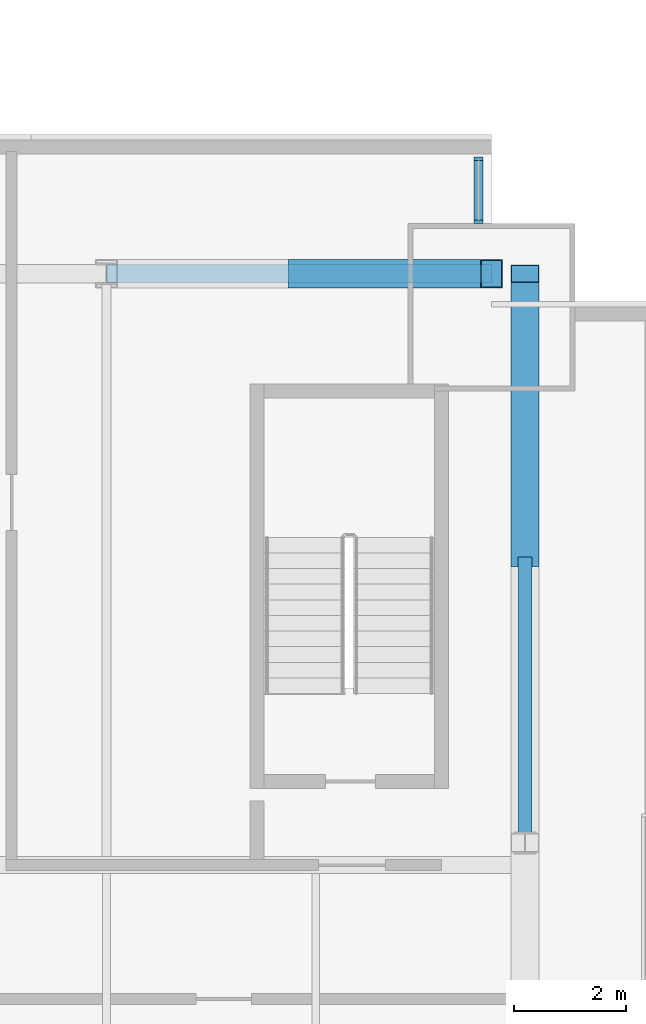
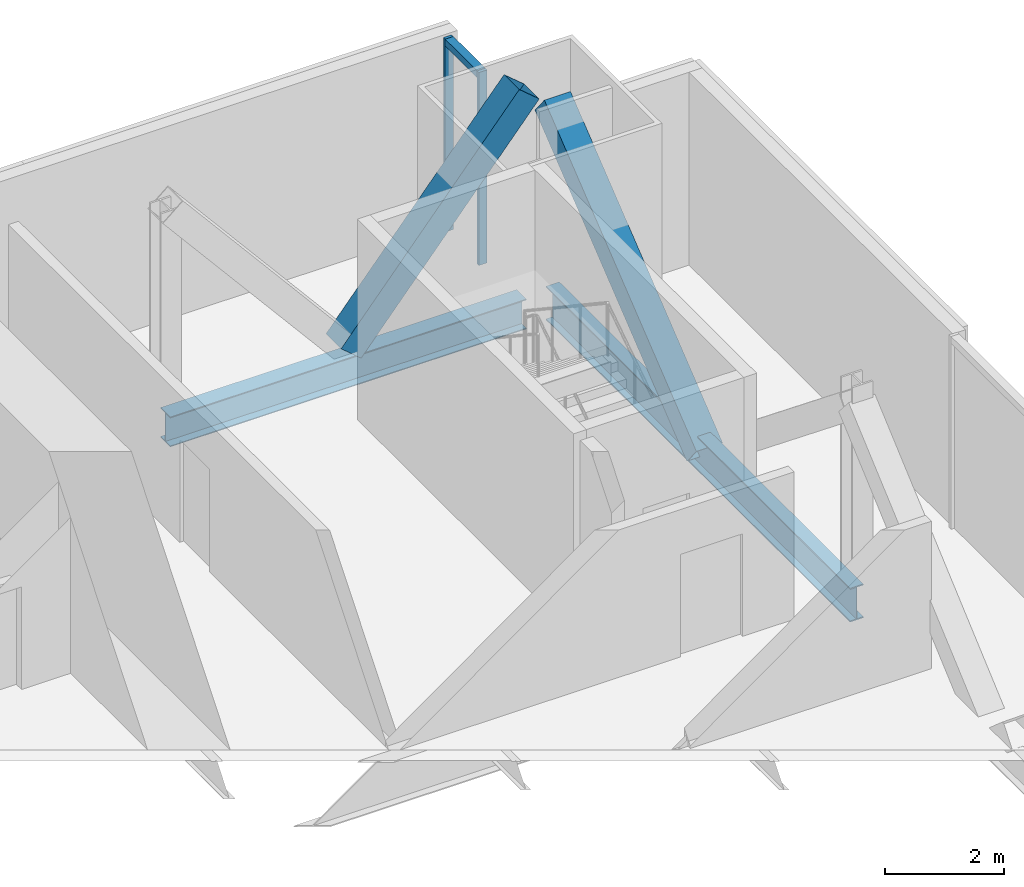
# One storey, part 13 of 21: 5 members, 2 beams, 1 element without a shape of its own.
"""IFC4 building model written with IfcOpenShell, lengths in metres."""

from ifc_helpers import new_model, si_unit, direction, frame, origin, origin_2d, place, context, subcontext, project, spatial, rectangle, hollow_rectangle, i_section, extrude, material, material_profile, profile_set, type_object, element, aggregate, save


model = new_model("IFC4")

# Units and contexts
model_context = context("Model", 3, precision=1e-05, world=origin(), true_north=direction((0.0, 1.0)))
body_context = subcontext(model_context, "Body", "Model", "MODEL_VIEW")
ifc_project = project(units=[si_unit("LENGTHUNIT", "METRE"), si_unit("AREAUNIT", "SQUARE_METRE"), si_unit("VOLUMEUNIT", "CUBIC_METRE"), si_unit("PLANEANGLEUNIT", "RADIAN"), si_unit("MASSUNIT", "GRAM", prefix="KILO")], contexts=[model_context])

# Site, building, storey
site_placement = place(None, origin())
site = spatial("IfcSite", under=ifc_project, at=site_placement, CompositionType="ELEMENT")
building_placement = place(site_placement, origin())
building = spatial("IfcBuilding", under=site, at=building_placement, Name="Bicima Exchange Tower", CompositionType="ELEMENT")
storey_placement = place(building_placement, frame((0.0, 0.0, 114.5)))
storey = spatial("IfcBuildingStorey", under=building, at=storey_placement, Name="L24", CompositionType="ELEMENT", Elevation=114.5)

# Beam
ifc_material_1 = material(Name="Steel ASTM A992 Gr 50", Category="steel")
ifc_material_profile_1 = material_profile(ifc_material_1, i_section(OverallWidth=0.256591796875, OverallDepth=0.693359375, WebThickness=0.014404296875, FlangeThickness=0.023681640625, at=origin_2d()))
ifc_profile_set_1 = profile_set([ifc_material_profile_1], Name="Steel ASTM A992 Gr 50")
beam_type_1 = type_object("IfcBeamType", Name="End girder W27x114", PredefinedType="BEAM", material=ifc_profile_set_1)
beam_1_placement = place(storey_placement, frame((33.60009765625, -2.39990234375, -0.49658203125), z_axis=(0.0, -1.0, 0.0), x_axis=(1.0, 0.0, 0.0)))
element("IfcBeam", 1, at=beam_1_placement, inside=storey, type_object=beam_type_1, Name="End girder", PredefinedType="BEAM", context=body_context, shape_type="SweptSolid", body=[
    extrude(i_section(OverallWidth=0.256591796875, OverallDepth=0.693359375, WebThickness=0.014404296875, FlangeThickness=0.023681640625, at=origin_2d()), origin(), (0.0, 0.0, 1.0), 10.2001953125),
])

# Curtain wall, members
ifc_material_2 = material(Name="Anodised bronze aluminium", Category="aluminium")
curtain_wall_type = type_object("IfcCurtainWallType", Name="Front glass wall", PredefinedType="NOTDEFINED", material=ifc_material_2)
curtain_wall_placement = place(storey_placement, origin())
curtain_wall = element("IfcCurtainWall", 2, at=curtain_wall_placement, inside=storey, type_object=curtain_wall_type, Name="Front glass wall L24 run 20", PredefinedType="NOTDEFINED")
ifc_material_profile_2 = material_profile(ifc_material_2, rectangle(XDim=0.159912109375, YDim=0.06005859375, at=origin_2d()))
ifc_profile_set_2 = profile_set([ifc_material_profile_2], Name="Anodised bronze aluminium")
member_type_1 = type_object("IfcMemberType", Name="Front glass wall mullion 60 x 160", PredefinedType="MULLION", material=ifc_profile_set_2)
member_1_placement = place(storey_placement, frame((32.77001953125, -1.469970703125, 0.0), z_axis=(0.0, 0.0, 1.0), x_axis=(-1.0, 0.0, 0.0)))
member_1 = element("IfcMember", 3, at=member_1_placement, type_object=member_type_1, Name="Front glass wall mullion 1", PredefinedType="MULLION", context=body_context, shape_type="SweptSolid", body=[
    extrude(rectangle(XDim=0.159912109375, YDim=0.06005859375, at=origin_2d()), origin(), (0.0, 0.0, 1.0), 3.949951171875),
])
member_2_placement = place(storey_placement, frame((32.77001953125, -0.340087890625, 0.0), z_axis=(0.0, 0.0, 1.0), x_axis=(-1.0, 0.0, 0.0)))
member_2 = element("IfcMember", 4, at=member_2_placement, type_object=member_type_1, Name="Front glass wall mullion 2", PredefinedType="MULLION", context=body_context, shape_type="SweptSolid", body=[
    extrude(rectangle(XDim=0.159912109375, YDim=0.06005859375, at=origin_2d()), origin(), (0.0, 0.0, 1.0), 3.949951171875),
])
ifc_material_profile_3 = material_profile(ifc_material_2, rectangle(XDim=0.159912109375, YDim=0.139892578125, at=origin_2d()))
ifc_profile_set_3 = profile_set([ifc_material_profile_3], Name="Anodised bronze aluminium")
member_type_2 = type_object("IfcMemberType", Name="Front glass wall transom 140 x 160", PredefinedType="USERDEFINED", material=ifc_profile_set_3)
member_3_placement = place(storey_placement, frame((32.77001953125, -1.43994140625, 3.8798828125), z_axis=(0.0, 1.0, 0.0), x_axis=(-1.0, 0.0, 0.0)))
member_3 = element("IfcMember", 5, at=member_3_placement, type_object=member_type_2, Name="Front glass wall transom 1.1", ObjectType="TRANSOM", PredefinedType="USERDEFINED", context=body_context, shape_type="SweptSolid", body=[
    extrude(rectangle(XDim=0.159912109375, YDim=0.139892578125, at=origin_2d()), origin(), (0.0, 0.0, 1.0), 1.06982421875),
])
aggregate(curtain_wall, [member_1, member_2, member_3])

# Members
ifc_material_3 = material(Name="Steel ASTM A572 Gr 50", Category="steel")
ifc_material_profile_4 = material_profile(ifc_material_3, hollow_rectangle(XDim=0.508056640625, YDim=0.508056640625, WallThickness=0.0146484375, at=origin_2d()))
ifc_profile_set_4 = profile_set([ifc_material_profile_4], Name="Steel ASTM A572 Gr 50")
member_type_3 = type_object("IfcMemberType", Name="Mega brace HSS20x20x5/8", PredefinedType="BRACE", material=ifc_profile_set_4)
member_4_placement = place(storey_placement, frame((29.550048828125, -2.39990234375, 0.0), z_axis=(0.643834042494, 0.0, 0.765165162384), x_axis=(0.0, 1.0, 0.0)))
element("IfcMember", 6, at=member_4_placement, inside=storey, type_object=member_type_3, Name="Mega brace rear", PredefinedType="BRACE", context=body_context, shape_type="SweptSolid", body=[
    extrude(hollow_rectangle(XDim=0.508056640625, YDim=0.508056640625, WallThickness=0.0146484375, at=origin_2d()), origin(), (0.0, 0.0, 1.0), 5.3583984375),
])
member_5_placement = place(storey_placement, frame((33.60009765625, -7.5, -0.49658203125), z_axis=(0.0, 0.779392460608, 0.626536026376), x_axis=(-1.0, 0.0, 0.0)))
element("IfcMember", 7, at=member_5_placement, inside=storey, type_object=member_type_3, Name="Mega brace east end", PredefinedType="BRACE", context=body_context, shape_type="SweptSolid", body=[
    extrude(hollow_rectangle(XDim=0.508056640625, YDim=0.508056640625, WallThickness=0.0146484375, at=origin_2d()), origin(), (0.0, 0.0, 1.0), 6.543701171875),
])

# Beam
ifc_material_profile_5 = material_profile(ifc_material_1, i_section(OverallWidth=0.3251953125, OverallDepth=0.612060546875, WebThickness=0.0126953125, FlangeThickness=0.01904296875, at=origin_2d()))
ifc_profile_set_5 = profile_set([ifc_material_profile_5], Name="Steel ASTM A992 Gr 50")
beam_type_2 = type_object("IfcBeamType", Name="Rear girder W24x104", PredefinedType="BEAM", material=ifc_profile_set_5)
beam_2_placement = place(storey_placement, frame((26.10009765625, -2.39990234375, -0.4560546875), z_axis=(1.0, 0.0, 0.0), x_axis=(0.0, 1.0, 0.0)))
element("IfcBeam", 8, at=beam_2_placement, inside=storey, type_object=beam_type_2, Name="Rear girder", PredefinedType="BEAM", context=body_context, shape_type="SweptSolid", body=[
    extrude(i_section(OverallWidth=0.3251953125, OverallDepth=0.612060546875, WebThickness=0.0126953125, FlangeThickness=0.01904296875, at=origin_2d()), origin(), (0.0, 0.0, 1.0), 6.89990234375),
])

save(model, "model.ifc")
